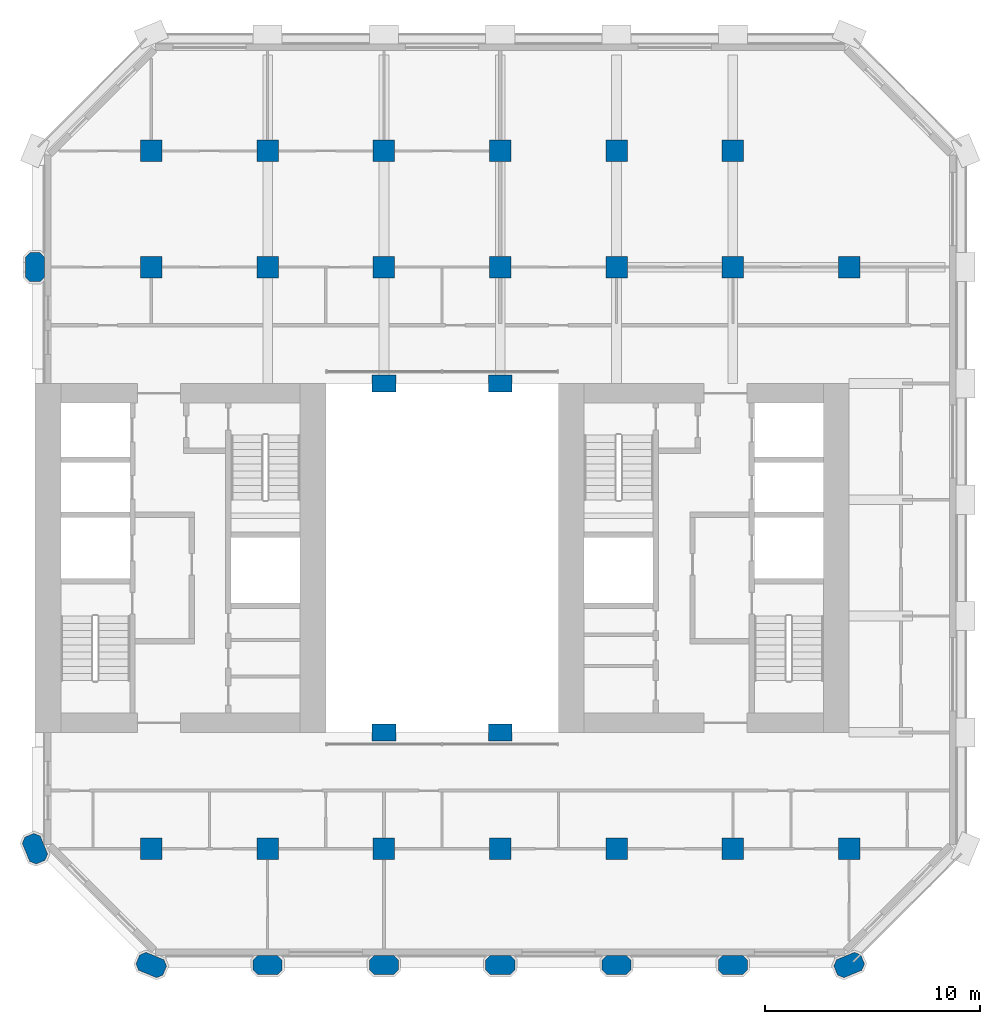
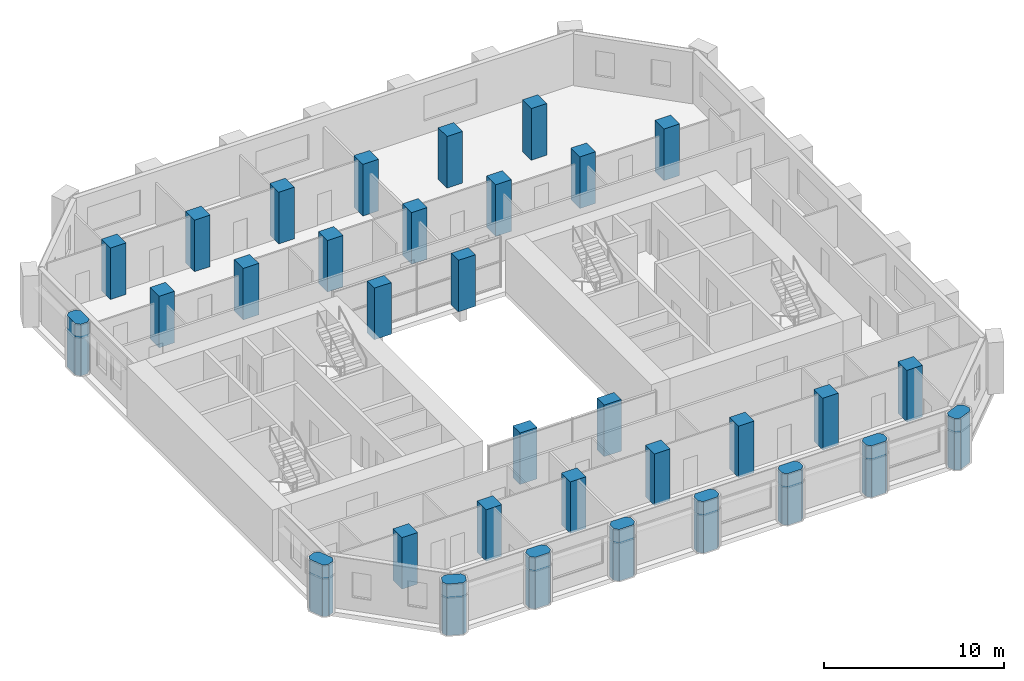
# One storey, part 1 of 11: 33 columns.
"""IFC4 building model written with IfcOpenShell, lengths in metres."""

from ifc_helpers import new_model, si_unit, direction, frame, origin, origin_2d, place, context, subcontext, project, spatial, polyline, rectangle, outline, extrude, material, material_profile, profile_set, type_object, element, save


model = new_model("IFC4")

# Units and contexts
model_context = context("Model", 3, precision=1e-05, world=origin(), true_north=direction((0.0, 1.0)))
body_context = subcontext(model_context, "Body", "Model", "MODEL_VIEW")
ifc_project = project(units=[si_unit("LENGTHUNIT", "METRE"), si_unit("AREAUNIT", "SQUARE_METRE"), si_unit("VOLUMEUNIT", "CUBIC_METRE"), si_unit("PLANEANGLEUNIT", "RADIAN"), si_unit("MASSUNIT", "GRAM", prefix="KILO")], contexts=[model_context])

# Site, building, storey
site_placement = place(None, origin())
site = spatial("IfcSite", under=ifc_project, at=site_placement, CompositionType="ELEMENT")
building_placement = place(site_placement, origin())
building = spatial("IfcBuilding", under=site, at=building_placement, Name="Tabaq Tower and Sports Hall", CompositionType="ELEMENT")
storey_placement = place(building_placement, frame((0.0, 0.0, 91.60009765625)))
storey = spatial("IfcBuildingStorey", under=building, at=storey_placement, Name="L21", CompositionType="ELEMENT", Elevation=91.60009765625)

# Columns
ifc_material_1 = material(Name="Concrete C60/75", Category="concrete")
ifc_material_profile_1 = material_profile(ifc_material_1, rectangle(XDim=1.10009765625, YDim=0.800048828125, at=origin_2d()), Name="ATRIUM COLUMN 1100x800")
ifc_profile_set_1 = profile_set([ifc_material_profile_1], Name="Concrete C60/75")
column_type_1 = type_object("IfcColumnType", Name="RC COLUMN ATRIUM COLUMN 1100x800 C60/75", PredefinedType="COLUMN", material=ifc_profile_set_1)
for number, where, z_axis, x_axis, name in (
    (1, (21.60009765625, 16.199951171875, 0.0), (0.0, 0.0, 1.0), (1.0, 0.0, 0.0), "Atrium Column 5/D L21"),
    (2, (27.0, 16.199951171875, 0.0), (0.0, 0.0, 1.0), (1.0, 0.0, 0.0), "Atrium Column 6/D L21"),
    (3, (21.60009765625, 32.39990234375, 0.0), (0.0, 0.0, 1.0), (1.0, 0.0, 0.0), "Atrium Column 5/G L21"),
    (4, (27.0, 32.39990234375, 0.0), (0.0, 0.0, 1.0), (1.0, 0.0, 0.0), "Atrium Column 6/G L21"),
):
    element("IfcColumn", number, at=place(storey_placement, frame(where, z_axis=z_axis, x_axis=x_axis)), inside=storey, type_object=column_type_1, Name=name, PredefinedType="COLUMN", context=body_context, shape_type="SweptSolid", body=[
        extrude(rectangle(XDim=1.10009765625, YDim=0.800048828125, at=origin_2d()), origin(), (0.0, 0.0, 1.0), 3.5),
    ])
ifc_material_2 = material(Name="Concrete C60/75", Category="concrete")
ifc_material_profile_2 = material_profile(ifc_material_2, rectangle(XDim=1.0, YDim=1.0, at=origin_2d()), Name="COLUMN 1000x1000")
ifc_profile_set_2 = profile_set([ifc_material_profile_2], Name="Concrete C60/75")
column_type_2 = type_object("IfcColumnType", Name="RC COLUMN COLUMN 1000x1000 C60/75", PredefinedType="COLUMN", material=ifc_profile_set_2)
for number, where, z_axis, x_axis, name in (
    (5, (10.800048828125, 10.800048828125, 0.0), (0.0, 0.0, 1.0), (1.0, 0.0, 0.0), "Column 3/C L21"),
    (6, (16.199951171875, 10.800048828125, 0.0), (0.0, 0.0, 1.0), (1.0, 0.0, 0.0), "Column 4/C L21"),
    (7, (21.60009765625, 10.800048828125, 0.0), (0.0, 0.0, 1.0), (1.0, 0.0, 0.0), "Column 5/C L21"),
    (8, (27.0, 10.800048828125, 0.0), (0.0, 0.0, 1.0), (1.0, 0.0, 0.0), "Column 6/C L21"),
    (9, (32.39990234375, 10.800048828125, 0.0), (0.0, 0.0, 1.0), (1.0, 0.0, 0.0), "Column 7/C L21"),
    (10, (37.800048828125, 10.800048828125, 0.0), (0.0, 0.0, 1.0), (1.0, 0.0, 0.0), "Column 8/C L21"),
    (11, (43.199951171875, 10.800048828125, 0.0), (0.0, 0.0, 1.0), (1.0, 0.0, 0.0), "Column 9/C L21"),
    (12, (10.800048828125, 37.800048828125, 0.0), (0.0, 0.0, 1.0), (1.0, 0.0, 0.0), "Column 3/H L21"),
    (13, (16.199951171875, 37.800048828125, 0.0), (0.0, 0.0, 1.0), (1.0, 0.0, 0.0), "Column 4/H L21"),
    (14, (21.60009765625, 37.800048828125, 0.0), (0.0, 0.0, 1.0), (1.0, 0.0, 0.0), "Column 5/H L21"),
    (15, (27.0, 37.800048828125, 0.0), (0.0, 0.0, 1.0), (1.0, 0.0, 0.0), "Column 6/H L21"),
    (16, (32.39990234375, 37.800048828125, 0.0), (0.0, 0.0, 1.0), (1.0, 0.0, 0.0), "Column 7/H L21"),
    (17, (37.800048828125, 37.800048828125, 0.0), (0.0, 0.0, 1.0), (1.0, 0.0, 0.0), "Column 8/H L21"),
    (18, (43.199951171875, 37.800048828125, 0.0), (0.0, 0.0, 1.0), (1.0, 0.0, 0.0), "Column 9/H L21"),
    (19, (10.800048828125, 43.199951171875, 0.0), (0.0, 0.0, 1.0), (1.0, 0.0, 0.0), "Column 3/I L21"),
    (20, (16.199951171875, 43.199951171875, 0.0), (0.0, 0.0, 1.0), (1.0, 0.0, 0.0), "Column 4/I L21"),
    (21, (21.60009765625, 43.199951171875, 0.0), (0.0, 0.0, 1.0), (1.0, 0.0, 0.0), "Column 5/I L21"),
    (22, (27.0, 43.199951171875, 0.0), (0.0, 0.0, 1.0), (1.0, 0.0, 0.0), "Column 6/I L21"),
    (23, (32.39990234375, 43.199951171875, 0.0), (0.0, 0.0, 1.0), (1.0, 0.0, 0.0), "Column 7/I L21"),
    (24, (37.800048828125, 43.199951171875, 0.0), (0.0, 0.0, 1.0), (1.0, 0.0, 0.0), "Column 8/I L21"),
):
    element("IfcColumn", number, at=place(storey_placement, frame(where, z_axis=z_axis, x_axis=x_axis)), inside=storey, type_object=column_type_2, Name=name, PredefinedType="COLUMN", context=body_context, shape_type="SweptSolid", body=[
        extrude(rectangle(XDim=1.0, YDim=1.0, at=origin_2d()), origin(), (0.0, 0.0, 1.0), 3.5),
    ])
ifc_material_3 = material(Name="Concrete C60/75", Category="concrete")
ifc_material_profile_3 = material_profile(ifc_material_3, outline(polyline([(-0.449951171875, -0.449951171875), (0.449951171875, -0.449951171875), (0.675048828125, -0.22509765625), (0.675048828125, 0.22509765625), (0.449951171875, 0.449951171875), (-0.449951171875, 0.449951171875), (-0.675048828125, 0.22509765625), (-0.675048828125, -0.22509765625), (-0.449951171875, -0.449951171875)])), Name="PIER 1350x900")
ifc_profile_set_3 = profile_set([ifc_material_profile_3], Name="Concrete C60/75")
column_type_3 = type_object("IfcColumnType", Name="RC COLUMN PIER 1350x900 C60/75", PredefinedType="COLUMN", material=ifc_profile_set_3)
for number, where, z_axis, x_axis, name in (
    (25, (10.800048828125, 5.39990234375, 0.0), (0.0, 0.0, 1.0), (-0.923879532511, 0.382683432365, 0.0), "Pier 3/B L21"),
    (26, (16.199951171875, 5.39990234375, 0.0), (0.0, 0.0, 1.0), (1.0, 0.0, 0.0), "Pier 4/B L21"),
    (27, (21.60009765625, 5.39990234375, 0.0), (0.0, 0.0, 1.0), (1.0, 0.0, 0.0), "Pier 5/B L21"),
    (28, (27.0, 5.39990234375, 0.0), (0.0, 0.0, 1.0), (1.0, 0.0, 0.0), "Pier 6/B L21"),
    (29, (32.39990234375, 5.39990234375, 0.0), (0.0, 0.0, 1.0), (1.0, 0.0, 0.0), "Pier 7/B L21"),
    (30, (37.800048828125, 5.39990234375, 0.0), (0.0, 0.0, 1.0), (1.0, 0.0, 0.0), "Pier 8/B L21"),
    (31, (43.199951171875, 5.39990234375, 0.0), (0.0, 0.0, 1.0), (0.923879532511, 0.382683432365, 0.0), "Pier 9/B L21"),
    (32, (5.39990234375, 10.800048828125, 0.0), (0.0, 0.0, 1.0), (-0.382683432365, 0.923879532511, 0.0), "Pier 2/C L21"),
    (33, (5.39990234375, 37.800048828125, 0.0), (0.0, 0.0, 1.0), (0.0, 1.0, 0.0), "Pier 2/H L21"),
):
    element("IfcColumn", number, at=place(storey_placement, frame(where, z_axis=z_axis, x_axis=x_axis)), inside=storey, type_object=column_type_3, Name=name, PredefinedType="COLUMN", context=body_context, shape_type="SweptSolid", body=[
        extrude(outline(polyline([(-0.449951171875, -0.449951171875), (0.449951171875, -0.449951171875), (0.675048828125, -0.22509765625), (0.675048828125, 0.22509765625), (0.449951171875, 0.449951171875), (-0.449951171875, 0.449951171875), (-0.675048828125, 0.22509765625), (-0.675048828125, -0.22509765625), (-0.449951171875, -0.449951171875)])), origin(), (0.0, 0.0, 1.0), 3.5),
    ])

save(model, "model.ifc")
